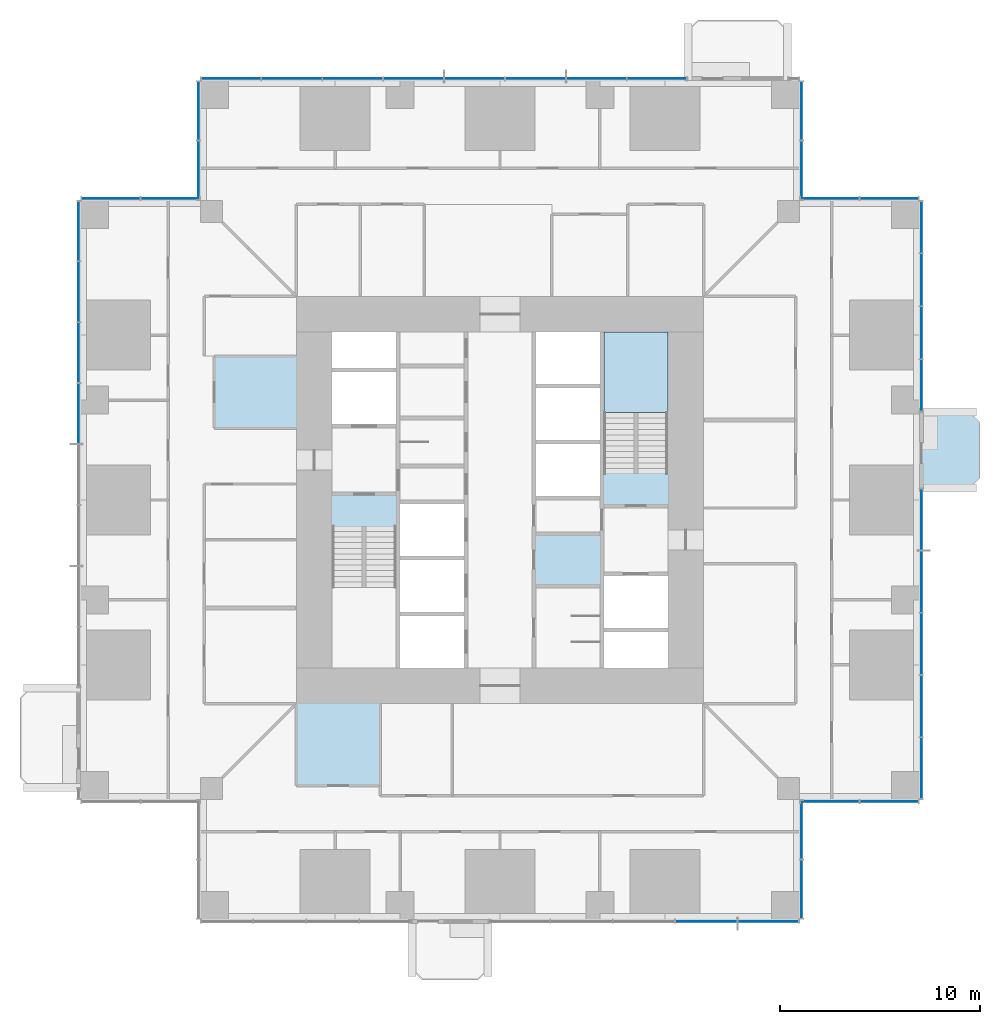
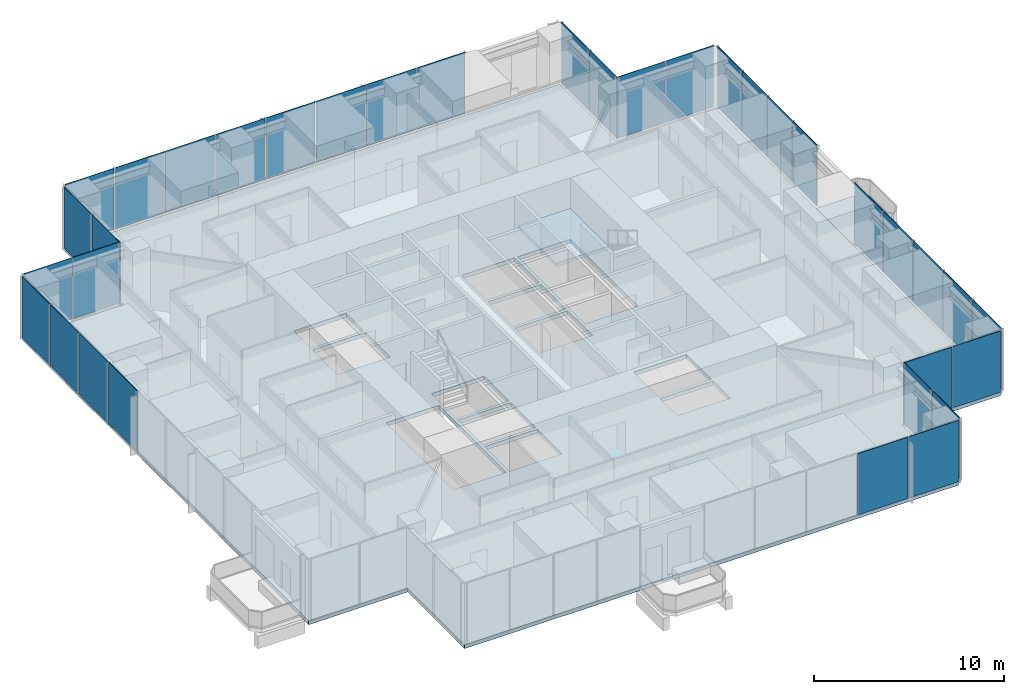
# One storey, part 9 of 18: 35 plates, 3 slabs, 12 elements without a shape of their own.
"""IFC4 building model written with IfcOpenShell, lengths in metres."""

from ifc_helpers import new_model, si_unit, direction, frame, origin, origin_2d, place, context, subcontext, project, spatial, polyline, rectangle, outline, extrude, material, layer, layer_set, type_object, element, aggregate, save


model = new_model("IFC4")

# Units and contexts
model_context = context("Model", 3, precision=1e-05, world=origin(), true_north=direction((0.0, 1.0)))
body_context = subcontext(model_context, "Body", "Model", "MODEL_VIEW")
ifc_project = project(units=[si_unit("LENGTHUNIT", "METRE"), si_unit("AREAUNIT", "SQUARE_METRE"), si_unit("VOLUMEUNIT", "CUBIC_METRE"), si_unit("PLANEANGLEUNIT", "RADIAN"), si_unit("MASSUNIT", "GRAM", prefix="KILO")], contexts=[model_context])

# Site, building, storey
site_placement = place(None, origin())
site = spatial("IfcSite", under=ifc_project, at=site_placement, CompositionType="ELEMENT")
building_placement = place(site_placement, origin())
building = spatial("IfcBuilding", under=site, at=building_placement, Name="Svetlomir Tower", CompositionType="ELEMENT")
storey_placement = place(building_placement, frame((0.0, 0.0, 78.5)))
storey = spatial("IfcBuildingStorey", under=building, at=storey_placement, Name="L18", CompositionType="ELEMENT", Elevation=78.5)

# Slab
ifc_material_1 = material(Name="Concrete C60/75", Category="concrete")
ifc_layer_1 = layer(ifc_material_1, 0.25)
ifc_layer_set_1 = layer_set([ifc_layer_1], Name="Concrete C60/75")
slab_type_1 = type_object("IfcSlabType", Name="BALCONY SLAB 250", PredefinedType="FLOOR", material=ifc_layer_set_1)
slab_1_placement = place(storey_placement, frame((0.0, 0.0, -0.25)))
element("IfcSlab", 1, at=slab_1_placement, inside=storey, type_object=slab_type_1, Name="L18 E planted balcony", PredefinedType="FLOOR", context=body_context, shape_type="SweptSolid", body=[
    extrude(outline(polyline([(42.0, 21.60009765625), (44.5, 21.60009765625), (45.0, 22.10009765625), (45.0, 24.89990234375), (44.5, 25.39990234375), (42.0, 25.39990234375), (42.0, 21.60009765625)])), origin(), (0.0, 0.0, 1.0), 0.25),
])

# Curtain wall, plates
ifc_material_2 = material(Name="Bronze anodised aluminium curtain wall", Category="aluminium")
curtain_wall_type = type_object("IfcCurtainWallType", Name="CURTAIN WALL CW1 TOWER OFFICE", PredefinedType="NOTDEFINED", material=ifc_material_2)
curtain_wall_1_placement = place(storey_placement, origin())
curtain_wall_1 = element("IfcCurtainWall", 2, at=curtain_wall_1_placement, inside=storey, type_object=curtain_wall_type, Name="Curtain wall CW1 L18", PredefinedType="NOTDEFINED")
ifc_material_3 = material(Name="Tinted double glazed unit", Category="glass")
ifc_layer_2 = layer(ifc_material_3, 0.031982421875)
ifc_layer_set_2 = layer_set([ifc_layer_2], Name="Tinted double glazed unit")
plate_type = type_object("IfcPlateType", Name="CW1 GLAZED PANEL 32", PredefinedType="CURTAIN_PANEL", material=ifc_layer_set_2)
plate_1_placement = place(storey_placement, frame((31.320068359375, -0.10009765625, 0.06494140625), z_axis=(0.0, 0.0, 1.0), x_axis=(1.0, 0.0, 0.0)))
plate_1 = element("IfcPlate", 3, at=plate_1_placement, type_object=plate_type, Name="CW1 panel 4.1", PredefinedType="CURTAIN_PANEL", context=body_context, shape_type="SweptSolid", body=[
    extrude(rectangle(XDim=3.054931640625, YDim=0.031982421875, at=origin_2d()), origin(), (0.0, 0.0, 1.0), 3.93505859375),
])
plate_2_placement = place(storey_placement, frame((34.423828125, -0.10009765625, 0.06494140625), z_axis=(0.0, 0.0, 1.0), x_axis=(1.0, 0.0, 0.0)))
plate_2 = element("IfcPlate", 4, at=plate_2_placement, type_object=plate_type, Name="CW1 panel 5.1", PredefinedType="CURTAIN_PANEL", context=body_context, shape_type="SweptSolid", body=[
    extrude(rectangle(XDim=3.0224609375, YDim=0.031982421875, at=origin_2d()), origin(), (0.0, 0.0, 1.0), 3.93505859375),
])
aggregate(curtain_wall_1, [plate_1, plate_2])

curtain_wall_2_placement = place(storey_placement, origin())
curtain_wall_2 = element("IfcCurtainWall", 5, at=curtain_wall_2_placement, inside=storey, type_object=curtain_wall_type, Name="Curtain wall CW1 L18", PredefinedType="NOTDEFINED")
plate_3_placement = place(storey_placement, frame((36.10009765625, 1.516357421875, 0.06494140625), z_axis=(0.0, 0.0, 1.0), x_axis=(0.0, 1.0, 0.0)))
plate_3 = element("IfcPlate", 6, at=plate_3_placement, type_object=plate_type, Name="CW1 panel 1.1", PredefinedType="CURTAIN_PANEL", context=body_context, shape_type="SweptSolid", body=[
    extrude(rectangle(XDim=2.902587890625, YDim=0.031982421875, at=origin_2d()), origin(), (0.0, 0.0, 1.0), 3.93505859375),
])
plate_4_placement = place(storey_placement, frame((36.10009765625, 4.483642578125, 0.06494140625), z_axis=(0.0, 0.0, 1.0), x_axis=(0.0, 1.0, 0.0)))
plate_4 = element("IfcPlate", 7, at=plate_4_placement, type_object=plate_type, Name="CW1 panel 2.1", PredefinedType="CURTAIN_PANEL", context=body_context, shape_type="SweptSolid", body=[
    extrude(rectangle(XDim=2.902587890625, YDim=0.031982421875, at=origin_2d()), origin(), (0.0, 0.0, 1.0), 3.93505859375),
])
aggregate(curtain_wall_2, [plate_3, plate_4])

curtain_wall_3_placement = place(storey_placement, origin())
curtain_wall_3 = element("IfcCurtainWall", 8, at=curtain_wall_3_placement, inside=storey, type_object=curtain_wall_type, Name="Curtain wall CW1 L18", PredefinedType="NOTDEFINED")
plate_5_placement = place(storey_placement, frame((37.516357421875, 5.89990234375, 0.06494140625), z_axis=(0.0, 0.0, 1.0), x_axis=(1.0, 0.0, 0.0)))
plate_5 = element("IfcPlate", 9, at=plate_5_placement, type_object=plate_type, Name="CW1 panel 1.1", PredefinedType="CURTAIN_PANEL", context=body_context, shape_type="SweptSolid", body=[
    extrude(rectangle(XDim=2.902587890625, YDim=0.031982421875, at=origin_2d()), origin(), (0.0, 0.0, 1.0), 3.93505859375),
])
plate_6_placement = place(storey_placement, frame((40.483642578125, 5.89990234375, 0.06494140625), z_axis=(0.0, 0.0, 1.0), x_axis=(1.0, 0.0, 0.0)))
plate_6 = element("IfcPlate", 10, at=plate_6_placement, type_object=plate_type, Name="CW1 panel 2.1", PredefinedType="CURTAIN_PANEL", context=body_context, shape_type="SweptSolid", body=[
    extrude(rectangle(XDim=2.902587890625, YDim=0.031982421875, at=origin_2d()), origin(), (0.0, 0.0, 1.0), 3.93505859375),
])
aggregate(curtain_wall_3, [plate_5, plate_6])

curtain_wall_4_placement = place(storey_placement, origin())
curtain_wall_4 = element("IfcCurtainWall", 11, at=curtain_wall_4_placement, inside=storey, type_object=curtain_wall_type, Name="Curtain wall CW1 L18", PredefinedType="NOTDEFINED")
plate_7_placement = place(storey_placement, frame((42.10009765625, 7.576171875, 0.06494140625), z_axis=(0.0, 0.0, 1.0), x_axis=(0.0, 1.0, 0.0)))
plate_7 = element("IfcPlate", 12, at=plate_7_placement, type_object=plate_type, Name="CW1 panel 1.1", PredefinedType="CURTAIN_PANEL", context=body_context, shape_type="SweptSolid", body=[
    extrude(rectangle(XDim=3.0224609375, YDim=0.031982421875, at=origin_2d()), origin(), (0.0, 0.0, 1.0), 3.93505859375),
])
plate_8_placement = place(storey_placement, frame((42.10009765625, 10.679931640625, 0.06494140625), z_axis=(0.0, 0.0, 1.0), x_axis=(0.0, 1.0, 0.0)))
plate_8 = element("IfcPlate", 13, at=plate_8_placement, type_object=plate_type, Name="CW1 panel 2.1", PredefinedType="CURTAIN_PANEL", context=body_context, shape_type="SweptSolid", body=[
    extrude(rectangle(XDim=3.054931640625, YDim=0.031982421875, at=origin_2d()), origin(), (0.0, 0.0, 1.0), 3.93505859375),
])
plate_9_placement = place(storey_placement, frame((42.10009765625, 13.800048828125, 0.06494140625), z_axis=(0.0, 0.0, 1.0), x_axis=(0.0, 1.0, 0.0)))
plate_9 = element("IfcPlate", 14, at=plate_9_placement, type_object=plate_type, Name="CW1 panel 3.1", PredefinedType="CURTAIN_PANEL", context=body_context, shape_type="SweptSolid", body=[
    extrude(rectangle(XDim=3.054931640625, YDim=0.031982421875, at=origin_2d()), origin(), (0.0, 0.0, 1.0), 3.93505859375),
])
plate_10_placement = place(storey_placement, frame((42.10009765625, 16.919921875, 0.06494140625), z_axis=(0.0, 0.0, 1.0), x_axis=(0.0, 1.0, 0.0)))
plate_10 = element("IfcPlate", 15, at=plate_10_placement, type_object=plate_type, Name="CW1 panel 4.1", PredefinedType="CURTAIN_PANEL", context=body_context, shape_type="SweptSolid", body=[
    extrude(rectangle(XDim=3.054931640625, YDim=0.031982421875, at=origin_2d()), origin(), (0.0, 0.0, 1.0), 3.93505859375),
])
plate_11_placement = place(storey_placement, frame((42.10009765625, 20.023681640625, 0.06494140625), z_axis=(0.0, 0.0, 1.0), x_axis=(0.0, 1.0, 0.0)))
plate_11 = element("IfcPlate", 16, at=plate_11_placement, type_object=plate_type, Name="CW1 panel 5.1", PredefinedType="CURTAIN_PANEL", context=body_context, shape_type="SweptSolid", body=[
    extrude(rectangle(XDim=3.0224609375, YDim=0.031982421875, at=origin_2d()), origin(), (0.0, 0.0, 1.0), 3.93505859375),
])
aggregate(curtain_wall_4, [plate_7, plate_8, plate_9, plate_10, plate_11])

curtain_wall_5_placement = place(storey_placement, origin())
curtain_wall_5 = element("IfcCurtainWall", 17, at=curtain_wall_5_placement, inside=storey, type_object=curtain_wall_type, Name="Curtain wall CW1 L18", PredefinedType="NOTDEFINED")
plate_12_placement = place(storey_placement, frame((42.10009765625, 26.7412109375, 0.06494140625), z_axis=(0.0, 0.0, 1.0), x_axis=(0.0, 1.0, 0.0)))
plate_12 = element("IfcPlate", 18, at=plate_12_placement, type_object=plate_type, Name="CW1 panel 1.1", PredefinedType="CURTAIN_PANEL", context=body_context, shape_type="SweptSolid", body=[
    extrude(rectangle(XDim=2.552490234375, YDim=0.031982421875, at=origin_2d()), origin(), (0.0, 0.0, 1.0), 3.93505859375),
])
plate_13_placement = place(storey_placement, frame((42.10009765625, 29.375, 0.06494140625), z_axis=(0.0, 0.0, 1.0), x_axis=(0.0, 1.0, 0.0)))
plate_13 = element("IfcPlate", 19, at=plate_13_placement, type_object=plate_type, Name="CW1 panel 2.1", PredefinedType="CURTAIN_PANEL", context=body_context, shape_type="SweptSolid", body=[
    extrude(rectangle(XDim=2.5849609375, YDim=0.031982421875, at=origin_2d()), origin(), (0.0, 0.0, 1.0), 3.93505859375),
])
plate_14_placement = place(storey_placement, frame((42.10009765625, 32.02490234375, 0.06494140625), z_axis=(0.0, 0.0, 1.0), x_axis=(0.0, 1.0, 0.0)))
plate_14 = element("IfcPlate", 20, at=plate_14_placement, type_object=plate_type, Name="CW1 panel 3.1", PredefinedType="CURTAIN_PANEL", context=body_context, shape_type="SweptSolid", body=[
    extrude(rectangle(XDim=2.5849609375, YDim=0.031982421875, at=origin_2d()), origin(), (0.0, 0.0, 1.0), 3.93505859375),
])
plate_15_placement = place(storey_placement, frame((42.10009765625, 34.65869140625, 0.06494140625), z_axis=(0.0, 0.0, 1.0), x_axis=(0.0, 1.0, 0.0)))
plate_15 = element("IfcPlate", 21, at=plate_15_placement, type_object=plate_type, Name="CW1 panel 4.1", PredefinedType="CURTAIN_PANEL", context=body_context, shape_type="SweptSolid", body=[
    extrude(rectangle(XDim=2.552490234375, YDim=0.031982421875, at=origin_2d()), origin(), (0.0, 0.0, 1.0), 3.93505859375),
])
aggregate(curtain_wall_5, [plate_12, plate_13, plate_14, plate_15])

curtain_wall_6_placement = place(storey_placement, origin())
curtain_wall_6 = element("IfcCurtainWall", 22, at=curtain_wall_6_placement, inside=storey, type_object=curtain_wall_type, Name="Curtain wall CW1 L18", PredefinedType="NOTDEFINED")
plate_16_placement = place(storey_placement, frame((40.483642578125, 36.10009765625, 0.06494140625), z_axis=(0.0, 0.0, 1.0), x_axis=(-1.0, 0.0, 0.0)))
plate_16 = element("IfcPlate", 23, at=plate_16_placement, type_object=plate_type, Name="CW1 panel 1.1", PredefinedType="CURTAIN_PANEL", context=body_context, shape_type="SweptSolid", body=[
    extrude(rectangle(XDim=2.902587890625, YDim=0.031982421875, at=origin_2d()), origin(), (0.0, 0.0, 1.0), 3.93505859375),
])
plate_17_placement = place(storey_placement, frame((37.516357421875, 36.10009765625, 0.06494140625), z_axis=(0.0, 0.0, 1.0), x_axis=(-1.0, 0.0, 0.0)))
plate_17 = element("IfcPlate", 24, at=plate_17_placement, type_object=plate_type, Name="CW1 panel 2.1", PredefinedType="CURTAIN_PANEL", context=body_context, shape_type="SweptSolid", body=[
    extrude(rectangle(XDim=2.902587890625, YDim=0.031982421875, at=origin_2d()), origin(), (0.0, 0.0, 1.0), 3.93505859375),
])
aggregate(curtain_wall_6, [plate_16, plate_17])

curtain_wall_7_placement = place(storey_placement, origin())
curtain_wall_7 = element("IfcCurtainWall", 25, at=curtain_wall_7_placement, inside=storey, type_object=curtain_wall_type, Name="Curtain wall CW1 L18", PredefinedType="NOTDEFINED")
plate_18_placement = place(storey_placement, frame((36.10009765625, 37.516357421875, 0.06494140625), z_axis=(0.0, 0.0, 1.0), x_axis=(0.0, 1.0, 0.0)))
plate_18 = element("IfcPlate", 26, at=plate_18_placement, type_object=plate_type, Name="CW1 panel 1.1", PredefinedType="CURTAIN_PANEL", context=body_context, shape_type="SweptSolid", body=[
    extrude(rectangle(XDim=2.902587890625, YDim=0.031982421875, at=origin_2d()), origin(), (0.0, 0.0, 1.0), 3.93505859375),
])
plate_19_placement = place(storey_placement, frame((36.10009765625, 40.483642578125, 0.06494140625), z_axis=(0.0, 0.0, 1.0), x_axis=(0.0, 1.0, 0.0)))
plate_19 = element("IfcPlate", 27, at=plate_19_placement, type_object=plate_type, Name="CW1 panel 2.1", PredefinedType="CURTAIN_PANEL", context=body_context, shape_type="SweptSolid", body=[
    extrude(rectangle(XDim=2.902587890625, YDim=0.031982421875, at=origin_2d()), origin(), (0.0, 0.0, 1.0), 3.93505859375),
])
aggregate(curtain_wall_7, [plate_18, plate_19])

curtain_wall_8_placement = place(storey_placement, origin())
curtain_wall_8 = element("IfcCurtainWall", 28, at=curtain_wall_8_placement, inside=storey, type_object=curtain_wall_type, Name="Curtain wall CW1 L18", PredefinedType="NOTDEFINED")
plate_20_placement = place(storey_placement, frame((28.858642578125, 42.10009765625, 0.06494140625), z_axis=(0.0, 0.0, 1.0), x_axis=(-1.0, 0.0, 0.0)))
plate_20 = element("IfcPlate", 29, at=plate_20_placement, type_object=plate_type, Name="CW1 panel 1.1", PredefinedType="CURTAIN_PANEL", context=body_context, shape_type="SweptSolid", body=[
    extrude(rectangle(XDim=2.952392578125, YDim=0.031982421875, at=origin_2d()), origin(), (0.0, 0.0, 1.0), 3.93505859375),
])
plate_21_placement = place(storey_placement, frame((25.824951171875, 42.10009765625, 0.06494140625), z_axis=(0.0, 0.0, 1.0), x_axis=(-1.0, 0.0, 0.0)))
plate_21 = element("IfcPlate", 30, at=plate_21_placement, type_object=plate_type, Name="CW1 panel 2.1", PredefinedType="CURTAIN_PANEL", context=body_context, shape_type="SweptSolid", body=[
    extrude(rectangle(XDim=2.985107421875, YDim=0.031982421875, at=origin_2d()), origin(), (0.0, 0.0, 1.0), 3.93505859375),
])
plate_22_placement = place(storey_placement, frame((22.77490234375, 42.10009765625, 0.06494140625), z_axis=(0.0, 0.0, 1.0), x_axis=(-1.0, 0.0, 0.0)))
plate_22 = element("IfcPlate", 31, at=plate_22_placement, type_object=plate_type, Name="CW1 panel 3.1", PredefinedType="CURTAIN_PANEL", context=body_context, shape_type="SweptSolid", body=[
    extrude(rectangle(XDim=2.985107421875, YDim=0.031982421875, at=origin_2d()), origin(), (0.0, 0.0, 1.0), 3.93505859375),
])
plate_23_placement = place(storey_placement, frame((19.72509765625, 42.10009765625, 0.06494140625), z_axis=(0.0, 0.0, 1.0), x_axis=(-1.0, 0.0, 0.0)))
plate_23 = element("IfcPlate", 32, at=plate_23_placement, type_object=plate_type, Name="CW1 panel 4.1", PredefinedType="CURTAIN_PANEL", context=body_context, shape_type="SweptSolid", body=[
    extrude(rectangle(XDim=2.985107421875, YDim=0.031982421875, at=origin_2d()), origin(), (0.0, 0.0, 1.0), 3.93505859375),
])
plate_24_placement = place(storey_placement, frame((16.675048828125, 42.10009765625, 0.06494140625), z_axis=(0.0, 0.0, 1.0), x_axis=(-1.0, 0.0, 0.0)))
plate_24 = element("IfcPlate", 33, at=plate_24_placement, type_object=plate_type, Name="CW1 panel 5.1", PredefinedType="CURTAIN_PANEL", context=body_context, shape_type="SweptSolid", body=[
    extrude(rectangle(XDim=2.985107421875, YDim=0.031982421875, at=origin_2d()), origin(), (0.0, 0.0, 1.0), 3.93505859375),
])
plate_25_placement = place(storey_placement, frame((13.625, 42.10009765625, 0.06494140625), z_axis=(0.0, 0.0, 1.0), x_axis=(-1.0, 0.0, 0.0)))
plate_25 = element("IfcPlate", 34, at=plate_25_placement, type_object=plate_type, Name="CW1 panel 6.1", PredefinedType="CURTAIN_PANEL", context=body_context, shape_type="SweptSolid", body=[
    extrude(rectangle(XDim=2.985107421875, YDim=0.031982421875, at=origin_2d()), origin(), (0.0, 0.0, 1.0), 3.93505859375),
])
plate_26_placement = place(storey_placement, frame((10.574951171875, 42.10009765625, 0.06494140625), z_axis=(0.0, 0.0, 1.0), x_axis=(-1.0, 0.0, 0.0)))
plate_26 = element("IfcPlate", 35, at=plate_26_placement, type_object=plate_type, Name="CW1 panel 7.1", PredefinedType="CURTAIN_PANEL", context=body_context, shape_type="SweptSolid", body=[
    extrude(rectangle(XDim=2.985107421875, YDim=0.031982421875, at=origin_2d()), origin(), (0.0, 0.0, 1.0), 3.93505859375),
])
plate_27_placement = place(storey_placement, frame((7.541259765625, 42.10009765625, 0.06494140625), z_axis=(0.0, 0.0, 1.0), x_axis=(-1.0, 0.0, 0.0)))
plate_27 = element("IfcPlate", 36, at=plate_27_placement, type_object=plate_type, Name="CW1 panel 8.1", PredefinedType="CURTAIN_PANEL", context=body_context, shape_type="SweptSolid", body=[
    extrude(rectangle(XDim=2.952392578125, YDim=0.031982421875, at=origin_2d()), origin(), (0.0, 0.0, 1.0), 3.93505859375),
])
aggregate(curtain_wall_8, [plate_20, plate_21, plate_22, plate_23, plate_24, plate_25, plate_26, plate_27])

curtain_wall_9_placement = place(storey_placement, origin())
curtain_wall_9 = element("IfcCurtainWall", 37, at=curtain_wall_9_placement, inside=storey, type_object=curtain_wall_type, Name="Curtain wall CW1 L18", PredefinedType="NOTDEFINED")
plate_28_placement = place(storey_placement, frame((5.89990234375, 40.483642578125, 0.06494140625), z_axis=(0.0, 0.0, 1.0), x_axis=(0.0, -1.0, 0.0)))
plate_28 = element("IfcPlate", 38, at=plate_28_placement, type_object=plate_type, Name="CW1 panel 1.1", PredefinedType="CURTAIN_PANEL", context=body_context, shape_type="SweptSolid", body=[
    extrude(rectangle(XDim=2.902587890625, YDim=0.031982421875, at=origin_2d()), origin(), (0.0, 0.0, 1.0), 3.93505859375),
])
plate_29_placement = place(storey_placement, frame((5.89990234375, 37.516357421875, 0.06494140625), z_axis=(0.0, 0.0, 1.0), x_axis=(0.0, -1.0, 0.0)))
plate_29 = element("IfcPlate", 39, at=plate_29_placement, type_object=plate_type, Name="CW1 panel 2.1", PredefinedType="CURTAIN_PANEL", context=body_context, shape_type="SweptSolid", body=[
    extrude(rectangle(XDim=2.902587890625, YDim=0.031982421875, at=origin_2d()), origin(), (0.0, 0.0, 1.0), 3.93505859375),
])
aggregate(curtain_wall_9, [plate_28, plate_29])

curtain_wall_10_placement = place(storey_placement, origin())
curtain_wall_10 = element("IfcCurtainWall", 40, at=curtain_wall_10_placement, inside=storey, type_object=curtain_wall_type, Name="Curtain wall CW1 L18", PredefinedType="NOTDEFINED")
plate_30_placement = place(storey_placement, frame((4.483642578125, 36.10009765625, 0.06494140625), z_axis=(0.0, 0.0, 1.0), x_axis=(-1.0, 0.0, 0.0)))
plate_30 = element("IfcPlate", 41, at=plate_30_placement, type_object=plate_type, Name="CW1 panel 1.1", PredefinedType="CURTAIN_PANEL", context=body_context, shape_type="SweptSolid", body=[
    extrude(rectangle(XDim=2.902587890625, YDim=0.031982421875, at=origin_2d()), origin(), (0.0, 0.0, 1.0), 3.93505859375),
])
plate_31_placement = place(storey_placement, frame((1.516357421875, 36.10009765625, 0.06494140625), z_axis=(0.0, 0.0, 1.0), x_axis=(-1.0, 0.0, 0.0)))
plate_31 = element("IfcPlate", 42, at=plate_31_placement, type_object=plate_type, Name="CW1 panel 2.1", PredefinedType="CURTAIN_PANEL", context=body_context, shape_type="SweptSolid", body=[
    extrude(rectangle(XDim=2.902587890625, YDim=0.031982421875, at=origin_2d()), origin(), (0.0, 0.0, 1.0), 3.93505859375),
])
aggregate(curtain_wall_10, [plate_30, plate_31])

curtain_wall_11_placement = place(storey_placement, origin())
curtain_wall_11 = element("IfcCurtainWall", 43, at=curtain_wall_11_placement, inside=storey, type_object=curtain_wall_type, Name="Curtain wall CW1 L18", PredefinedType="NOTDEFINED")
plate_32_placement = place(storey_placement, frame((-0.10009765625, 34.458740234375, 0.06494140625), z_axis=(0.0, 0.0, 1.0), x_axis=(0.0, -1.0, 0.0)))
plate_32 = element("IfcPlate", 44, at=plate_32_placement, type_object=plate_type, Name="CW1 panel 1.1", PredefinedType="CURTAIN_PANEL", context=body_context, shape_type="SweptSolid", body=[
    extrude(rectangle(XDim=2.952392578125, YDim=0.031982421875, at=origin_2d()), origin(), (0.0, 0.0, 1.0), 3.93505859375),
])
plate_33_placement = place(storey_placement, frame((-0.10009765625, 31.425048828125, 0.06494140625), z_axis=(0.0, 0.0, 1.0), x_axis=(0.0, -1.0, 0.0)))
plate_33 = element("IfcPlate", 45, at=plate_33_placement, type_object=plate_type, Name="CW1 panel 2.1", PredefinedType="CURTAIN_PANEL", context=body_context, shape_type="SweptSolid", body=[
    extrude(rectangle(XDim=2.985107421875, YDim=0.031982421875, at=origin_2d()), origin(), (0.0, 0.0, 1.0), 3.93505859375),
])
plate_34_placement = place(storey_placement, frame((-0.10009765625, 28.375, 0.06494140625), z_axis=(0.0, 0.0, 1.0), x_axis=(0.0, -1.0, 0.0)))
plate_34 = element("IfcPlate", 46, at=plate_34_placement, type_object=plate_type, Name="CW1 panel 3.1", PredefinedType="CURTAIN_PANEL", context=body_context, shape_type="SweptSolid", body=[
    extrude(rectangle(XDim=2.985107421875, YDim=0.031982421875, at=origin_2d()), origin(), (0.0, 0.0, 1.0), 3.93505859375),
])
plate_35_placement = place(storey_placement, frame((-0.10009765625, 25.324951171875, 0.06494140625), z_axis=(0.0, 0.0, 1.0), x_axis=(0.0, -1.0, 0.0)))
plate_35 = element("IfcPlate", 47, at=plate_35_placement, type_object=plate_type, Name="CW1 panel 4.1", PredefinedType="CURTAIN_PANEL", context=body_context, shape_type="SweptSolid", body=[
    extrude(rectangle(XDim=2.985107421875, YDim=0.031982421875, at=origin_2d()), origin(), (0.0, 0.0, 1.0), 3.93505859375),
])
aggregate(curtain_wall_11, [plate_32, plate_33, plate_34, plate_35])

# Slab
ifc_material_4 = material(Name="Concrete C60/75", Category="concrete")
ifc_layer_3 = layer(ifc_material_4, 0.25)
ifc_layer_set_3 = layer_set([ifc_layer_3], Name="Concrete C60/75")
slab_type_2 = type_object("IfcSlabType", Name="FLOOR SLAB 250", PredefinedType="FLOOR", material=ifc_layer_set_3)
slab_2_placement = place(storey_placement, frame((0.0, 0.0, -0.25)))
element("IfcSlab", 48, at=slab_2_placement, inside=storey, type_object=slab_type_2, Name="L18 floor slab", PredefinedType="FLOOR", context=body_context, shape_type="SweptSolid", body=[
    extrude(outline(polyline([(6.0, 0.0), (36.0, 0.0), (36.0, 6.0), (42.0, 6.0), (42.0, 36.0), (36.0, 36.0), (36.0, 42.0), (6.0, 42.0), (6.0, 36.0), (0.0, 36.0), (0.0, 6.0), (6.0, 6.0), (6.0, 0.0)]), holes=[polyline([(12.60009765625, 24.800048828125), (15.800048828125, 24.800048828125), (15.800048828125, 27.39990234375), (12.60009765625, 27.39990234375), (12.60009765625, 24.800048828125)]), polyline([(26.199951171875, 14.60009765625), (29.39990234375, 14.60009765625), (29.39990234375, 17.199951171875), (26.199951171875, 17.199951171875), (26.199951171875, 14.60009765625)]), polyline([(16.0, 12.60009765625), (19.199951171875, 12.60009765625), (19.199951171875, 15.199951171875), (16.0, 15.199951171875), (16.0, 12.60009765625)]), polyline([(16.0, 15.39990234375), (19.199951171875, 15.39990234375), (19.199951171875, 18.0), (16.0, 18.0), (16.0, 15.39990234375)]), polyline([(16.0, 18.199951171875), (19.199951171875, 18.199951171875), (19.199951171875, 20.800048828125), (16.0, 20.800048828125), (16.0, 18.199951171875)]), polyline([(22.800048828125, 21.199951171875), (26.0, 21.199951171875), (26.0, 23.800048828125), (22.800048828125, 23.800048828125), (22.800048828125, 21.199951171875)]), polyline([(22.800048828125, 24.0), (26.0, 24.0), (26.0, 26.60009765625), (22.800048828125, 26.60009765625), (22.800048828125, 24.0)]), polyline([(22.800048828125, 26.800048828125), (26.0, 26.800048828125), (26.0, 29.39990234375), (22.800048828125, 29.39990234375), (22.800048828125, 26.800048828125)]), polyline([(12.60009765625, 27.60009765625), (15.800048828125, 27.60009765625), (15.800048828125, 29.39990234375), (12.60009765625, 29.39990234375), (12.60009765625, 27.60009765625)]), polyline([(26.199951171875, 12.60009765625), (29.39990234375, 12.60009765625), (29.39990234375, 14.39990234375), (26.199951171875, 14.39990234375), (26.199951171875, 12.60009765625)]), polyline([(12.60009765625, 12.60009765625), (15.800048828125, 12.60009765625), (15.800048828125, 19.679931640625), (12.60009765625, 19.679931640625), (12.60009765625, 12.60009765625)]), polyline([(26.199951171875, 22.320068359375), (29.39990234375, 22.320068359375), (29.39990234375, 29.39990234375), (26.199951171875, 29.39990234375), (26.199951171875, 22.320068359375)])]), origin(), (0.0, 0.0, 1.0), 0.25),
])

# Stair, slab
ifc_material_5 = material(Name="Concrete C60/75", Category="concrete")
stair_type = type_object("IfcStairType", Name="EXIT STAIR 3200 RISE 4000", PredefinedType="HALF_TURN_STAIR", material=ifc_material_5)
stair_placement = place(storey_placement, origin())
stair = element("IfcStair", 49, at=stair_placement, inside=storey, type_object=stair_type, Name="Stair S2 L18 to L19", PredefinedType="HALF_TURN_STAIR")
ifc_material_6 = material(Name="Concrete C60/75", Category="concrete")
ifc_layer_4 = layer(ifc_material_6, 0.199951171875)
ifc_layer_set_4 = layer_set([ifc_layer_4], Name="Concrete C60/75")
slab_type_3 = type_object("IfcSlabType", Name="STAIR LANDING 200", PredefinedType="LANDING", material=ifc_layer_set_4)
slab_3_placement = place(storey_placement, frame((0.0, 0.0, 1.800048828125)))
slab_3 = element("IfcSlab", 50, at=slab_3_placement, type_object=slab_type_3, Name="S2 landing 1", PredefinedType="LANDING", context=body_context, shape_type="SweptSolid", body=[
    extrude(outline(polyline([(26.199951171875, 25.3798828125), (29.39990234375, 25.3798828125), (29.39990234375, 29.39990234375), (26.199951171875, 29.39990234375), (26.199951171875, 25.3798828125)])), origin(), (0.0, 0.0, 1.0), 0.199951171875),
])
aggregate(stair, [slab_3])

save(model, "model.ifc")
